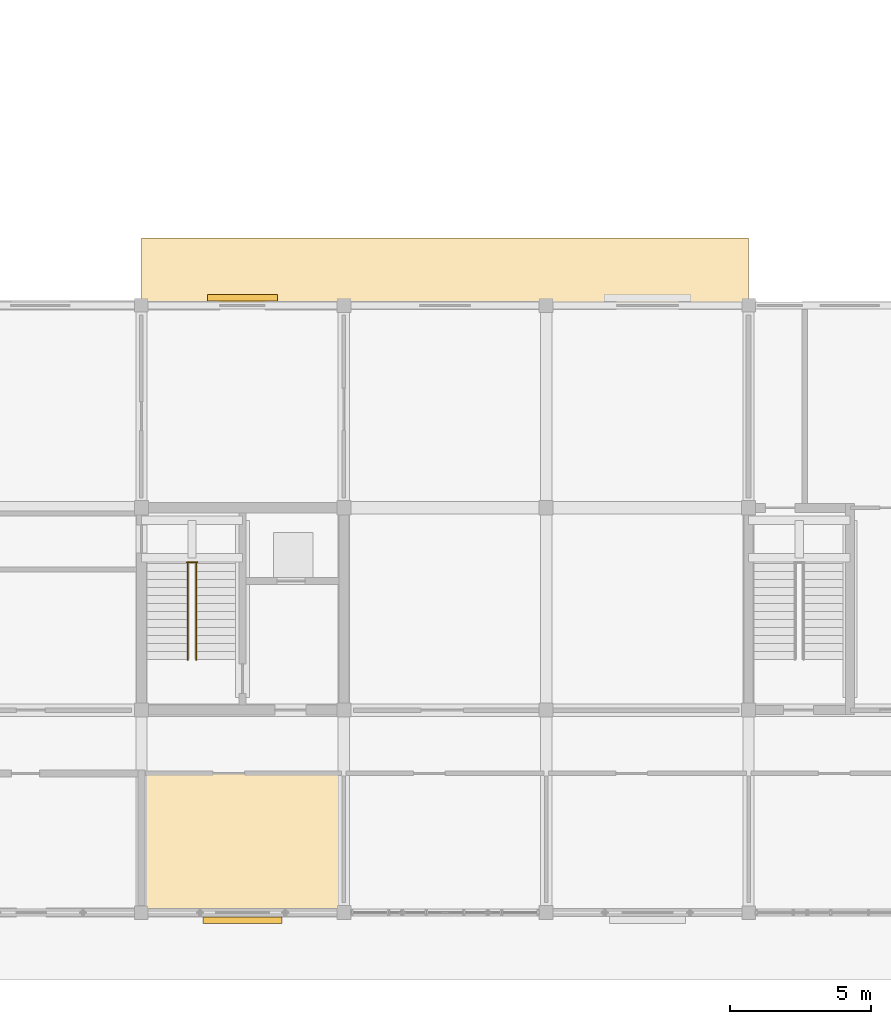
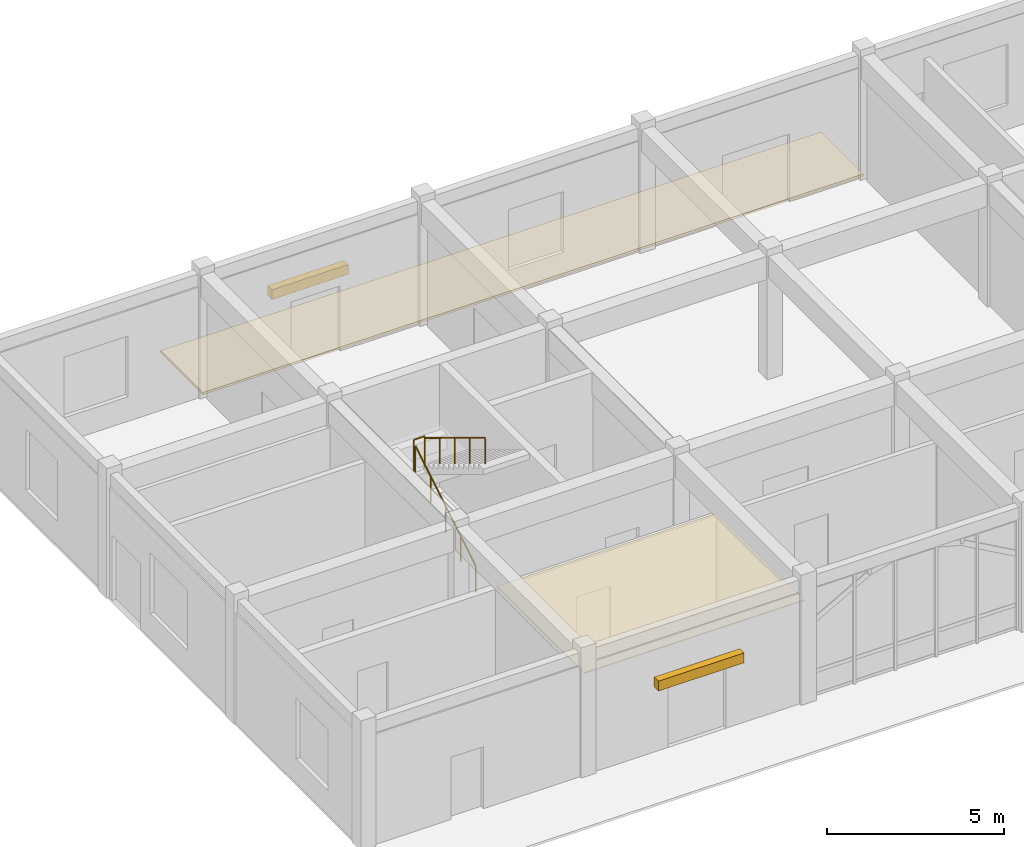
# One storey, part 125 of 138: 4 coverings, 3 railings.
"""IFC4 building model written with IfcOpenShell, lengths in metres."""

from ifc_helpers import new_model, si_unit, direction, frame, origin, origin_2d, place, context, subcontext, project, spatial, polyline, rectangle, circle, outline, extrude, material, layer, layer_set, type_object, element, save


model = new_model("IFC4")

# Units and contexts
model_context = context("Model", 3, precision=1e-05, world=origin(), true_north=direction((0.0, 1.0)))
body_context = subcontext(model_context, "Body", "Model", "MODEL_VIEW")
ifc_project = project(units=[si_unit("LENGTHUNIT", "METRE"), si_unit("AREAUNIT", "SQUARE_METRE"), si_unit("VOLUMEUNIT", "CUBIC_METRE"), si_unit("PLANEANGLEUNIT", "RADIAN"), si_unit("MASSUNIT", "GRAM", prefix="KILO"), si_unit("THERMODYNAMICTEMPERATUREUNIT", "KELVIN"), si_unit("POWERUNIT", "WATT")], contexts=[model_context])

# Site, building, storey
site_placement = place(None, origin())
site = spatial("IfcSite", under=ifc_project, at=site_placement, CompositionType="ELEMENT")
building_placement = place(site_placement, origin())
building = spatial("IfcBuilding", under=site, at=building_placement, Name="Tavuni Mirador Residences", CompositionType="ELEMENT")
storey_placement = place(building_placement, origin())
storey = spatial("IfcBuildingStorey", under=building, at=storey_placement, Name="L00", CompositionType="ELEMENT", Elevation=0.0)

# Coverings
ifc_material_1 = material(Name="Perforated mineral-fibre acoustic ceiling", Category="gypsum")
ifc_layer_1 = layer(ifc_material_1, 0.02490234375, Name="Perforated mineral-fibre acoustic ceiling", Category="gypsum")
ifc_layer_set_1 = layer_set([ifc_layer_1], Name="Perforated mineral-fibre acoustic ceiling")
covering_type_1 = type_object("IfcCoveringType", Name="CVT-CEIL-AC", PredefinedType="CEILING", material=ifc_layer_set_1)
covering_1_placement = place(storey_placement, frame((0.0, 0.0, 3.385009765625)))
element("IfcCovering", 1, at=covering_1_placement, inside=storey, type_object=covering_type_1, Name="CEIL-SHOP-CAF", PredefinedType="CEILING", context=body_context, shape_type="SweptSolid", body=[
    extrude(outline(polyline([(54.0, 7.199951171875), (61.199951171875, 7.199951171875), (61.199951171875, 12.14990234375), (54.0, 12.14990234375), (54.0, 7.199951171875)])), origin(), (0.0, 0.0, 1.0), 0.02490234375),
])
ifc_material_2 = material(Name="Natural coral limestone", Category="masonry")
ifc_layer_2 = layer(ifc_material_2, 0.054931640625, Name="Natural coral limestone", Category="masonry")
ifc_layer_set_2 = layer_set([ifc_layer_2], Name="Natural coral limestone")
covering_type_2 = type_object("IfcCoveringType", Name="CVT-CLAD-CORAL", PredefinedType="CLADDING", material=ifc_layer_set_2)
covering_2_placement = place(storey_placement, frame((57.594970703125, 6.925537109375, 2.25), z_axis=(0.0, 0.0, 1.0), x_axis=(1.0, 0.0, 0.0)))
element("IfcCovering", 2, at=covering_2_placement, inside=storey, type_object=covering_type_2, Name="CLAD-PAV-SHOP-S01", PredefinedType="CLADDING", context=body_context, shape_type="SweptSolid", body=[
    extrude(rectangle(XDim=2.800048828125, YDim=0.239990234375, at=origin_2d()), origin(), (0.0, 0.0, 1.0), 0.340087890625),
])
covering_3_placement = place(storey_placement, frame((57.594970703125, 29.074462890625, 2.2998046875), z_axis=(0.0, 0.0, 1.0), x_axis=(-1.0, 0.0, 0.0)))
element("IfcCovering", 3, at=covering_3_placement, inside=storey, type_object=covering_type_2, Name="CLAD-PAV-SHOP-N01", PredefinedType="CLADDING", context=body_context, shape_type="SweptSolid", body=[
    extrude(rectangle(XDim=2.5, YDim=0.239990234375, at=origin_2d()), origin(), (0.0, 0.0, 1.0), 0.340087890625),
])
ifc_material_3 = material(Name="Dressed coral-stone paving", Category="masonry")
ifc_layer_3 = layer(ifc_material_3, 0.080078125, Name="Dressed coral-stone paving", Category="masonry")
ifc_layer_set_3 = layer_set([ifc_layer_3], Name="Dressed coral-stone paving")
covering_type_3 = type_object("IfcCoveringType", Name="CVT-PAV-COURT", PredefinedType="USERDEFINED", material=ifc_layer_set_3)
covering_4_placement = place(storey_placement, frame((0.0, 0.0, -0.080078125)))
element("IfcCovering", 4, at=covering_4_placement, inside=storey, type_object=covering_type_3, Name="PAV-APR-SHOP-N", ObjectType="PAVING", PredefinedType="USERDEFINED", context=body_context, shape_type="SweptSolid", body=[
    extrude(outline(polyline([(54.0, 28.800048828125), (75.60009765625, 28.800048828125), (75.60009765625, 31.199951171875), (54.0, 31.199951171875), (54.0, 28.800048828125)])), origin(), (0.0, 0.0, 1.0), 0.080078125),
])

# Railings
ifc_material_4 = material(Name="Structural steel S355", Category="steel")
railing_type_1 = type_object("IfcRailingType", Name="RT-GR1120", PredefinedType="GUARDRAIL", material=ifc_material_4)
railing_1_placement = place(storey_placement, frame((55.6201171875, 19.659912109375, 2.25)))
element("IfcRailing", 5, at=railing_1_placement, inside=storey, type_object=railing_type_1, Name="GRD-HL-ST9-L00", PredefinedType="GUARDRAIL", context=body_context, shape_type="SweptSolid", body=[
    extrude(circle(Radius=0.02392578125, at=origin_2d()), frame((0.0, 0.0, 1.09619140625), z_axis=(1.0, 0.0, 0.0), x_axis=(0.0, 1.0, 0.0)), (0.0, 0.0, 1.0), 0.35986328125),
    extrude(circle(Radius=0.02099609375, at=origin_2d()), origin(), (0.0, 0.0, 1.0), 1.072021484375),
    extrude(circle(Radius=0.02099609375, at=origin_2d()), frame((0.35986328125, 0.0, 0.0)), (0.0, 0.0, 1.0), 1.072021484375),
])
railing_type_2 = type_object("IfcRailingType", Name="RT-HR920", PredefinedType="HANDRAIL", material=ifc_material_4)
railing_2_placement = place(storey_placement, frame((55.64990234375, 16.199951171875, 0.173095703125)))
element("IfcRailing", 6, at=railing_2_placement, inside=storey, type_object=railing_type_2, Name="HR-ST9-L00-F1", PredefinedType="HANDRAIL", context=body_context, shape_type="SweptSolid", body=[
    extrude(circle(Radius=0.02392578125, at=origin_2d()), frame((0.0, 0.0, 0.89599609375), z_axis=(0.0, 0.854745945586, 0.519046595696), x_axis=(-1.0, 0.0, 0.0)), (0.0, 0.0, 1.0), 4.00146484375),
    extrude(circle(Radius=0.02099609375, at=origin_2d()), origin(), (0.0, 0.0, 1.0), 0.871826171875),
    extrude(circle(Radius=0.02099609375, at=origin_2d()), frame((0.0, 0.85498046875, 0.519287109375)), (0.0, 0.0, 1.0), 0.871826171875),
    extrude(circle(Radius=0.02099609375, at=origin_2d()), frame((0.0, 1.7099609375, 1.03857421875)), (0.0, 0.0, 1.0), 0.871826171875),
    extrude(circle(Radius=0.02099609375, at=origin_2d()), frame((0.0, 2.565185546875, 1.5576171875)), (0.0, 0.0, 1.0), 0.871826171875),
    extrude(circle(Radius=0.02099609375, at=origin_2d()), frame((0.0, 3.420166015625, 2.076904296875)), (0.0, 0.0, 1.0), 0.871826171875),
])
railing_3_placement = place(storey_placement, frame((55.949951171875, 19.6201171875, 2.423095703125)))
element("IfcRailing", 7, at=railing_3_placement, inside=storey, type_object=railing_type_2, Name="HR-ST9-L00-F2", PredefinedType="HANDRAIL", context=body_context, shape_type="SweptSolid", body=[
    extrude(circle(Radius=0.02392578125, at=origin_2d()), frame((0.0, 0.0, 0.89599609375), z_axis=(0.0, -0.854745945586, 0.519046595696), x_axis=(1.0, 0.0, 0.0)), (0.0, 0.0, 1.0), 4.00146484375),
    extrude(circle(Radius=0.02099609375, at=origin_2d()), origin(), (0.0, 0.0, 1.0), 0.871826171875),
    extrude(circle(Radius=0.02099609375, at=origin_2d()), frame((0.0, -0.85498046875, 0.519287109375)), (0.0, 0.0, 1.0), 0.871826171875),
    extrude(circle(Radius=0.02099609375, at=origin_2d()), frame((0.0, -1.7099609375, 1.03857421875)), (0.0, 0.0, 1.0), 0.871826171875),
    extrude(circle(Radius=0.02099609375, at=origin_2d()), frame((0.0, -2.565185546875, 1.5576171875)), (0.0, 0.0, 1.0), 0.871826171875),
    extrude(circle(Radius=0.02099609375, at=origin_2d()), frame((0.0, -3.420166015625, 2.076904296875)), (0.0, 0.0, 1.0), 0.871826171875),
])

save(model, "model.ifc")
